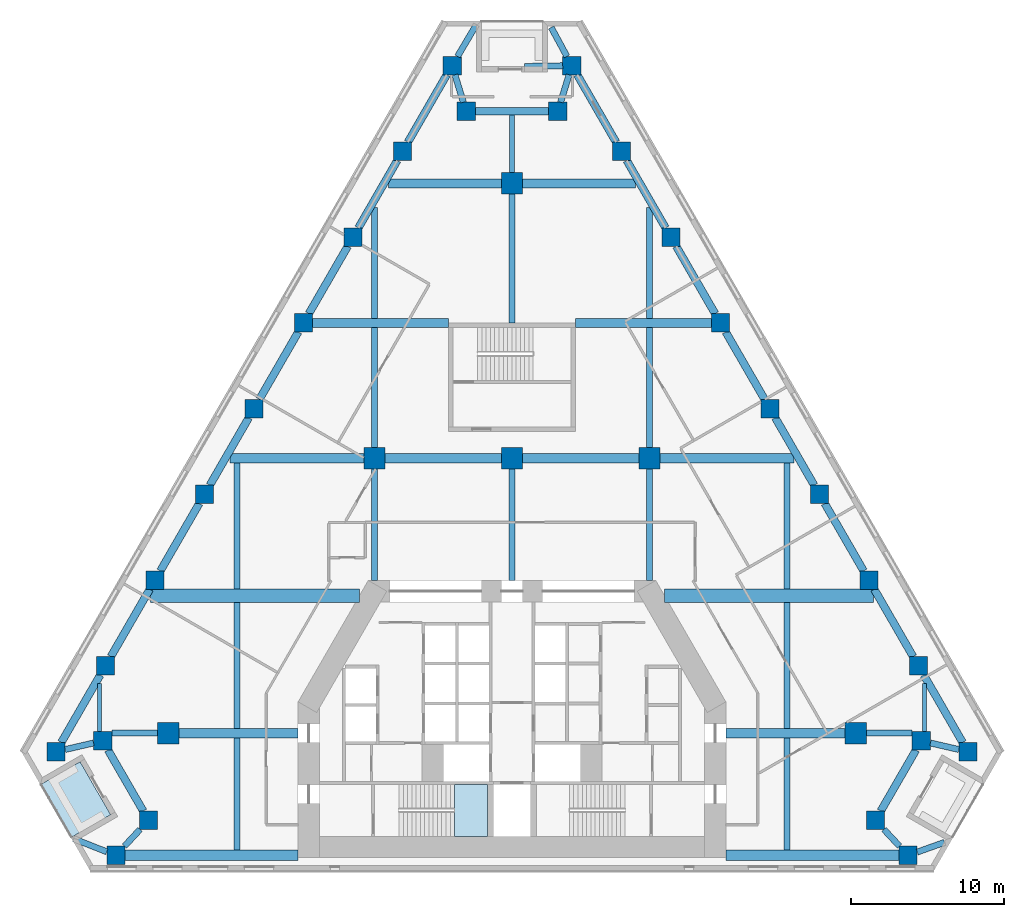
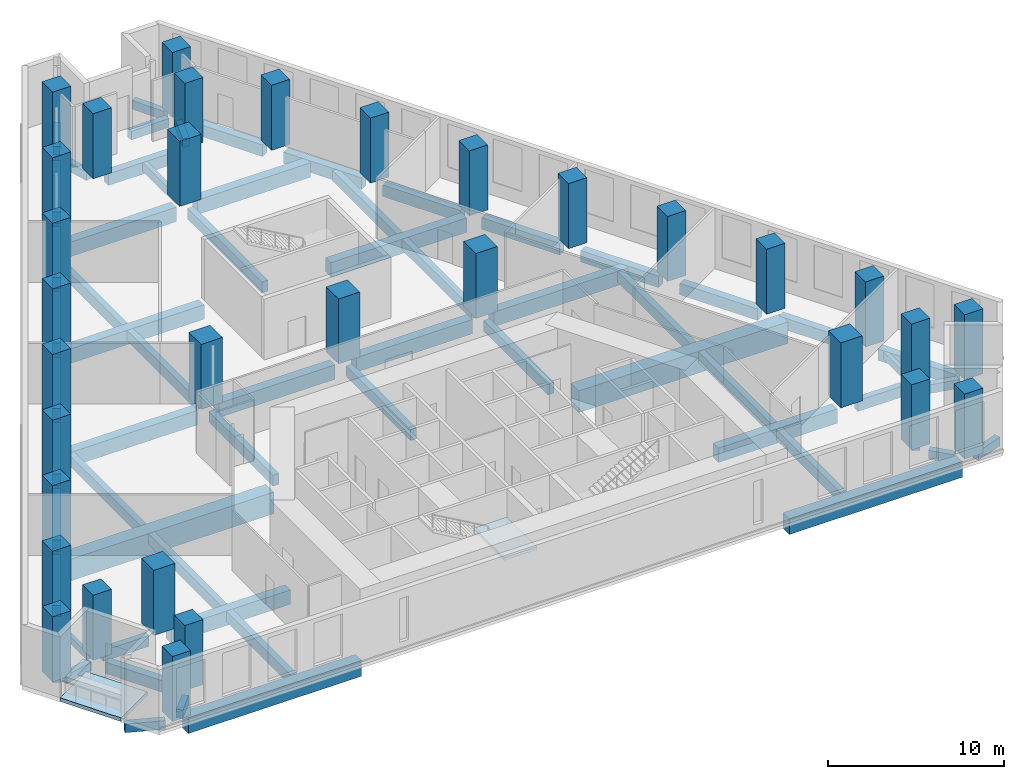
# One storey, part 1 of 10: 63 beams, 32 columns, 2 slabs, 1 element without a shape of its own.
"""IFC4 building model written with IfcOpenShell, lengths in metres."""

from ifc_helpers import new_model, si_unit, direction, frame, origin, origin_2d, place, context, subcontext, project, spatial, polyline, rectangle, outline, extrude, material, layer, layer_set, material_profile, profile_set, type_object, element, aggregate, save


model = new_model("IFC4")

# Units and contexts
model_context = context("Model", 3, precision=1e-05, world=origin(), true_north=direction((0.0, 1.0)))
body_context = subcontext(model_context, "Body", "Model", "MODEL_VIEW")
ifc_project = project(units=[si_unit("LENGTHUNIT", "METRE"), si_unit("AREAUNIT", "SQUARE_METRE"), si_unit("VOLUMEUNIT", "CUBIC_METRE"), si_unit("PLANEANGLEUNIT", "RADIAN"), si_unit("MASSUNIT", "GRAM", prefix="KILO")], contexts=[model_context])

# Site, building, storey
site_placement = place(None, origin())
site = spatial("IfcSite", under=ifc_project, at=site_placement, CompositionType="ELEMENT")
building_placement = place(site_placement, origin())
building = spatial("IfcBuilding", under=site, at=building_placement, Name="Fogline Exchange Tower", CompositionType="ELEMENT")
storey_placement = place(building_placement, frame((0.0, 0.0, 38.5)))
storey = spatial("IfcBuildingStorey", under=building, at=storey_placement, Name="L07", CompositionType="ELEMENT", Elevation=38.5)

# Columns
ifc_material_1 = material(Name="Concrete C80", Category="concrete")
ifc_material_profile_1 = material_profile(ifc_material_1, rectangle(XDim=1.199951171875, YDim=1.199951171875, at=origin_2d()), Name="RC 1200x1200")
ifc_profile_set_1 = profile_set([ifc_material_profile_1], Name="Concrete C80")
column_type_1 = type_object("IfcColumnType", Name="C01", PredefinedType="COLUMN", material=ifc_profile_set_1)
for number, where, z_axis, x_axis, name in (
    (1, (-29.855712890625, 7.794189453125, 0.0), (0.0, 0.0, 1.0), (1.0, 0.0, 0.0), "SW-a"),
    (2, (-26.79638671875, 8.4951171875, 0.0), (0.0, 0.0, 1.0), (1.0, 0.0, 0.0), "SW-p4"),
    (3, (-23.79638671875, 3.299072265625, 0.0), (0.0, 0.0, 1.0), (1.0, 0.0, 0.0), "SW-p3"),
    (4, (-25.93310546875, 1.0, 0.0), (0.0, 0.0, 1.0), (1.0, 0.0, 0.0), "SW-b"),
    (5, (25.93310546875, 1.0, 0.0), (0.0, 0.0, 1.0), (1.0, 0.0, 0.0), "SE-a"),
    (6, (23.79638671875, 3.299072265625, 0.0), (0.0, 0.0, 1.0), (1.0, 0.0, 0.0), "SE-p4"),
    (7, (26.79638671875, 8.4951171875, 0.0), (0.0, 0.0, 1.0), (1.0, 0.0, 0.0), "SE-p3"),
    (8, (29.855712890625, 7.794189453125, 0.0), (0.0, 0.0, 1.0), (1.0, 0.0, 0.0), "SE-b"),
    (9, (26.614013671875, 13.408935546875, 0.0), (0.0, 0.0, 1.0), (1.0, 0.0, 0.0), "E1"),
    (10, (23.37255859375, 19.023681640625, 0.0), (0.0, 0.0, 1.0), (1.0, 0.0, 0.0), "E2"),
    (11, (20.130859375, 24.63818359375, 0.0), (0.0, 0.0, 1.0), (1.0, 0.0, 0.0), "E3"),
    (12, (16.88916015625, 30.2529296875, 0.0), (0.0, 0.0, 1.0), (1.0, 0.0, 0.0), "E4"),
    (13, (13.647705078125, 35.86767578125, 0.0), (0.0, 0.0, 1.0), (1.0, 0.0, 0.0), "E5"),
    (14, (10.406005859375, 41.482421875, 0.0), (0.0, 0.0, 1.0), (1.0, 0.0, 0.0), "E6"),
    (15, (7.164306640625, 47.096923828125, 0.0), (0.0, 0.0, 1.0), (1.0, 0.0, 0.0), "E7"),
    (16, (3.922607421875, 52.711669921875, 0.0), (0.0, 0.0, 1.0), (1.0, 0.0, 0.0), "N-a"),
    (17, (3.0, 49.711669921875, 0.0), (0.0, 0.0, 1.0), (1.0, 0.0, 0.0), "N-p4"),
    (18, (-3.0, 49.711669921875, 0.0), (0.0, 0.0, 1.0), (1.0, 0.0, 0.0), "N-p3"),
    (19, (-3.922607421875, 52.711669921875, 0.0), (0.0, 0.0, 1.0), (1.0, 0.0, 0.0), "N-b"),
    (20, (-7.164306640625, 47.096923828125, 0.0), (0.0, 0.0, 1.0), (1.0, 0.0, 0.0), "W1"),
    (21, (-10.406005859375, 41.482421875, 0.0), (0.0, 0.0, 1.0), (1.0, 0.0, 0.0), "W2"),
    (22, (-13.647705078125, 35.86767578125, 0.0), (0.0, 0.0, 1.0), (1.0, 0.0, 0.0), "W3"),
    (23, (-16.88916015625, 30.2529296875, 0.0), (0.0, 0.0, 1.0), (1.0, 0.0, 0.0), "W4"),
    (24, (-20.130859375, 24.63818359375, 0.0), (0.0, 0.0, 1.0), (1.0, 0.0, 0.0), "W5"),
    (25, (-23.37255859375, 19.023681640625, 0.0), (0.0, 0.0, 1.0), (1.0, 0.0, 0.0), "W6"),
    (26, (-26.614013671875, 13.408935546875, 0.0), (0.0, 0.0, 1.0), (1.0, 0.0, 0.0), "W7"),
):
    element("IfcColumn", number, at=place(storey_placement, frame(where, z_axis=z_axis, x_axis=x_axis)), inside=storey, type_object=column_type_1, Name=name, PredefinedType="COLUMN", context=body_context, shape_type="SweptSolid", body=[
        extrude(rectangle(XDim=1.199951171875, YDim=1.199951171875, at=origin_2d()), origin(), (0.0, 0.0, 1.0), 4.5),
    ])
ifc_material_profile_2 = material_profile(ifc_material_1, rectangle(XDim=1.39990234375, YDim=1.39990234375, at=origin_2d()), Name="RC 1400x1400")
ifc_profile_set_2 = profile_set([ifc_material_profile_2], Name="Concrete C80")
column_type_2 = type_object("IfcColumnType", Name="C02", PredefinedType="COLUMN", material=ifc_profile_set_2)
for number, where, z_axis, x_axis, name in (
    (27, (-9.0, 27.0, 0.0), (0.0, 0.0, 1.0), (1.0, 0.0, 0.0), "IC--9-27"),
    (28, (0.0, 27.0, 0.0), (0.0, 0.0, 1.0), (1.0, 0.0, 0.0), "IC-0-27"),
    (29, (9.0, 27.0, 0.0), (0.0, 0.0, 1.0), (1.0, 0.0, 0.0), "IC-9-27"),
    (30, (0.0, 45.0, 0.0), (0.0, 0.0, 1.0), (1.0, 0.0, 0.0), "IC-0-45"),
    (31, (-22.5, 9.0, 0.0), (0.0, 0.0, 1.0), (1.0, 0.0, 0.0), "IC--225-9"),
    (32, (22.5, 9.0, 0.0), (0.0, 0.0, 1.0), (1.0, 0.0, 0.0), "IC-225-9"),
):
    element("IfcColumn", number, at=place(storey_placement, frame(where, z_axis=z_axis, x_axis=x_axis)), inside=storey, type_object=column_type_2, Name=name, PredefinedType="COLUMN", context=body_context, shape_type="SweptSolid", body=[
        extrude(rectangle(XDim=1.39990234375, YDim=1.39990234375, at=origin_2d()), origin(), (0.0, 0.0, 1.0), 4.5),
    ])

# Beams
ifc_material_2 = material(Name="Concrete C40", Category="concrete")
ifc_material_profile_3 = material_profile(ifc_material_2, rectangle(XDim=0.89990234375, YDim=1.5, at=origin_2d()), Name="RC 900x1500")
ifc_profile_set_3 = profile_set([ifc_material_profile_3], Name="Concrete C40")
beam_type_1 = type_object("IfcBeamType", Name="B01", PredefinedType="BEAM", material=ifc_profile_set_3)
for number, where, z_axis, x_axis, name in (
    (33, (-23.6748046875, 18.0, -1.050048828125), (1.0, 0.0, 0.0), (0.0, 1.0, 0.0), "GB005"),
    (34, (9.989013671875, 18.0, -1.050048828125), (1.0, 0.0, 0.0), (0.0, 1.0, 0.0), "GB006"),
):
    element("IfcBeam", number, at=place(storey_placement, frame(where, z_axis=z_axis, x_axis=x_axis)), inside=storey, type_object=beam_type_1, Name=name, PredefinedType="BEAM", context=body_context, shape_type="SweptSolid", body=[
        extrude(rectangle(XDim=0.89990234375, YDim=1.5, at=origin_2d()), origin(), (0.0, 0.0, 1.0), 13.685791015625),
    ])
ifc_material_profile_4 = material_profile(ifc_material_2, rectangle(XDim=0.60009765625, YDim=1.0, at=origin_2d()), Name="RC 600x1000")
ifc_profile_set_4 = profile_set([ifc_material_profile_4], Name="Concrete C40")
beam_type_2 = type_object("IfcBeamType", Name="B03", PredefinedType="BEAM", material=ifc_profile_set_4)
for number, where, z_axis, x_axis, name in (
    (35, (-21.800048828125, 9.0, -0.800048828125), (1.0, 0.0, 0.0), (0.0, 1.0, 0.0), "GB002"),
    (36, (14.0, 9.0, -0.800048828125), (1.0, 0.0, 0.0), (0.0, 1.0, 0.0), "GB003"),
):
    element("IfcBeam", number, at=place(storey_placement, frame(where, z_axis=z_axis, x_axis=x_axis)), inside=storey, type_object=beam_type_2, Name=name, PredefinedType="BEAM", context=body_context, shape_type="SweptSolid", body=[
        extrude(rectangle(XDim=0.60009765625, YDim=1.0, at=origin_2d()), origin(), (0.0, 0.0, 1.0), 7.800048828125),
    ])
beam_1_placement = place(storey_placement, frame((-18.478515625, 27.0, -0.800048828125), z_axis=(1.0, 0.0, 0.0), x_axis=(0.0, 1.0, 0.0)))
element("IfcBeam", 37, at=beam_1_placement, inside=storey, type_object=beam_type_2, Name="GB007", PredefinedType="BEAM", context=body_context, shape_type="SweptSolid", body=[
    extrude(rectangle(XDim=0.60009765625, YDim=1.0, at=origin_2d()), origin(), (0.0, 0.0, 1.0), 8.778564453125),
])
for number, where, z_axis, x_axis, name in (
    (38, (-8.300048828125, 27.0, -0.800048828125), (1.0, 0.0, 0.0), (0.0, 1.0, 0.0), "GB008"),
    (39, (0.699951171875, 27.0, -0.800048828125), (1.0, 0.0, 0.0), (0.0, 1.0, 0.0), "GB009"),
):
    element("IfcBeam", number, at=place(storey_placement, frame(where, z_axis=z_axis, x_axis=x_axis)), inside=storey, type_object=beam_type_2, Name=name, PredefinedType="BEAM", context=body_context, shape_type="SweptSolid", body=[
        extrude(rectangle(XDim=0.60009765625, YDim=1.0, at=origin_2d()), origin(), (0.0, 0.0, 1.0), 7.60009765625),
    ])
beam_2_placement = place(storey_placement, frame((9.699951171875, 27.0, -0.800048828125), z_axis=(1.0, 0.0, 0.0), x_axis=(0.0, 1.0, 0.0)))
element("IfcBeam", 40, at=beam_2_placement, inside=storey, type_object=beam_type_2, Name="GB010", PredefinedType="BEAM", context=body_context, shape_type="SweptSolid", body=[
    extrude(rectangle(XDim=0.60009765625, YDim=1.0, at=origin_2d()), origin(), (0.0, 0.0, 1.0), 8.778564453125),
])
for number, where, z_axis, x_axis, name in (
    (41, (-13.047607421875, 35.85693359375, -0.800048828125), (1.0, 0.0, 0.0), (0.0, 1.0, 0.0), "GB011"),
    (42, (4.14990234375, 35.85693359375, -0.800048828125), (1.0, 0.0, 0.0), (0.0, 1.0, 0.0), "GB012"),
):
    element("IfcBeam", number, at=place(storey_placement, frame(where, z_axis=z_axis, x_axis=x_axis)), inside=storey, type_object=beam_type_2, Name=name, PredefinedType="BEAM", context=body_context, shape_type="SweptSolid", body=[
        extrude(rectangle(XDim=0.60009765625, YDim=1.0, at=origin_2d()), origin(), (0.0, 0.0, 1.0), 8.897705078125),
    ])
for number, where, z_axis, x_axis, name in (
    (43, (-8.086181640625, 45.0, -0.800048828125), (1.0, 0.0, 0.0), (0.0, 1.0, 0.0), "GB013"),
    (44, (0.699951171875, 45.0, -0.800048828125), (1.0, 0.0, 0.0), (0.0, 1.0, 0.0), "GB014"),
):
    element("IfcBeam", number, at=place(storey_placement, frame(where, z_axis=z_axis, x_axis=x_axis)), inside=storey, type_object=beam_type_2, Name=name, PredefinedType="BEAM", context=body_context, shape_type="SweptSolid", body=[
        extrude(rectangle(XDim=0.60009765625, YDim=1.0, at=origin_2d()), origin(), (0.0, 0.0, 1.0), 7.38623046875),
    ])
ifc_material_profile_5 = material_profile(ifc_material_2, rectangle(XDim=0.39990234375, YDim=0.75, at=origin_2d()), Name="RC 400x750")
ifc_profile_set_5 = profile_set([ifc_material_profile_5], Name="Concrete C40")
beam_type_3 = type_object("IfcBeamType", Name="B05", PredefinedType="BEAM", material=ifc_profile_set_5)
for number, where, z_axis, x_axis, name in (
    (45, (-26.1962890625, 9.0, -0.675048828125), (1.0, 0.0, 0.0), (0.0, 1.0, 0.0), "GB001"),
    (46, (23.199951171875, 9.0, -0.675048828125), (1.0, 0.0, 0.0), (0.0, 1.0, 0.0), "GB004"),
):
    element("IfcBeam", number, at=place(storey_placement, frame(where, z_axis=z_axis, x_axis=x_axis)), inside=storey, type_object=beam_type_3, Name=name, PredefinedType="BEAM", context=body_context, shape_type="SweptSolid", body=[
        extrude(rectangle(XDim=0.39990234375, YDim=0.75, at=origin_2d()), origin(), (0.0, 0.0, 1.0), 2.996337890625),
    ])
beam_3_placement = place(storey_placement, frame((-18.0, 1.35009765625, -0.675048828125), z_axis=(0.0, 1.0, 0.0), x_axis=(-1.0, 0.0, 0.0)))
element("IfcBeam", 47, at=beam_3_placement, inside=storey, type_object=beam_type_3, Name="SB002", PredefinedType="BEAM", context=body_context, shape_type="SweptSolid", body=[
    extrude(rectangle(XDim=0.39990234375, YDim=0.75, at=origin_2d()), origin(), (0.0, 0.0, 1.0), 7.349853515625),
])
for number, where, z_axis, x_axis, name in (
    (48, (-18.0, 9.300048828125, -0.675048828125), (0.0, 1.0, 0.0), (-1.0, 0.0, 0.0), "SB003"),
    (49, (-18.0, 18.449951171875, -0.675048828125), (0.0, 1.0, 0.0), (-1.0, 0.0, 0.0), "SB004"),
):
    element("IfcBeam", number, at=place(storey_placement, frame(where, z_axis=z_axis, x_axis=x_axis)), inside=storey, type_object=beam_type_3, Name=name, PredefinedType="BEAM", context=body_context, shape_type="SweptSolid", body=[
        extrude(rectangle(XDim=0.39990234375, YDim=0.75, at=origin_2d()), origin(), (0.0, 0.0, 1.0), 8.25),
    ])
beam_4_placement = place(storey_placement, frame((-9.0, 19.0, -0.675048828125), z_axis=(0.0, 1.0, 0.0), x_axis=(-1.0, 0.0, 0.0)))
element("IfcBeam", 50, at=beam_4_placement, inside=storey, type_object=beam_type_3, Name="SB005", PredefinedType="BEAM", context=body_context, shape_type="SweptSolid", body=[
    extrude(rectangle(XDim=0.39990234375, YDim=0.75, at=origin_2d()), origin(), (0.0, 0.0, 1.0), 7.300048828125),
])
beam_5_placement = place(storey_placement, frame((-9.0, 27.699951171875, -0.675048828125), z_axis=(0.0, 1.0, 0.0), x_axis=(-1.0, 0.0, 0.0)))
element("IfcBeam", 51, at=beam_5_placement, inside=storey, type_object=beam_type_3, Name="SB006", PredefinedType="BEAM", context=body_context, shape_type="SweptSolid", body=[
    extrude(rectangle(XDim=0.39990234375, YDim=0.75, at=origin_2d()), origin(), (0.0, 0.0, 1.0), 7.85693359375),
])
beam_6_placement = place(storey_placement, frame((-9.0, 36.156982421875, -0.675048828125), z_axis=(0.0, 1.0, 0.0), x_axis=(-1.0, 0.0, 0.0)))
element("IfcBeam", 52, at=beam_6_placement, inside=storey, type_object=beam_type_3, Name="SB007", PredefinedType="BEAM", context=body_context, shape_type="SweptSolid", body=[
    extrude(rectangle(XDim=0.39990234375, YDim=0.75, at=origin_2d()), origin(), (0.0, 0.0, 1.0), 7.260498046875),
])
beam_7_placement = place(storey_placement, frame((0.0, 19.0, -0.675048828125), z_axis=(0.0, 1.0, 0.0), x_axis=(-1.0, 0.0, 0.0)))
element("IfcBeam", 53, at=beam_7_placement, inside=storey, type_object=beam_type_3, Name="SB008", PredefinedType="BEAM", context=body_context, shape_type="SweptSolid", body=[
    extrude(rectangle(XDim=0.39990234375, YDim=0.75, at=origin_2d()), origin(), (0.0, 0.0, 1.0), 7.300048828125),
])
beam_8_placement = place(storey_placement, frame((0.0, 35.85693359375, -0.675048828125), z_axis=(0.0, 1.0, 0.0), x_axis=(-1.0, 0.0, 0.0)))
element("IfcBeam", 54, at=beam_8_placement, inside=storey, type_object=beam_type_3, Name="SB009", PredefinedType="BEAM", context=body_context, shape_type="SweptSolid", body=[
    extrude(rectangle(XDim=0.39990234375, YDim=0.75, at=origin_2d()), origin(), (0.0, 0.0, 1.0), 8.443115234375),
])
beam_9_placement = place(storey_placement, frame((9.0, 19.0, -0.675048828125), z_axis=(0.0, 1.0, 0.0), x_axis=(-1.0, 0.0, 0.0)))
element("IfcBeam", 55, at=beam_9_placement, inside=storey, type_object=beam_type_3, Name="SB011", PredefinedType="BEAM", context=body_context, shape_type="SweptSolid", body=[
    extrude(rectangle(XDim=0.39990234375, YDim=0.75, at=origin_2d()), origin(), (0.0, 0.0, 1.0), 7.300048828125),
])
beam_10_placement = place(storey_placement, frame((9.0, 27.699951171875, -0.675048828125), z_axis=(0.0, 1.0, 0.0), x_axis=(-1.0, 0.0, 0.0)))
element("IfcBeam", 56, at=beam_10_placement, inside=storey, type_object=beam_type_3, Name="SB012", PredefinedType="BEAM", context=body_context, shape_type="SweptSolid", body=[
    extrude(rectangle(XDim=0.39990234375, YDim=0.75, at=origin_2d()), origin(), (0.0, 0.0, 1.0), 7.85693359375),
])
beam_11_placement = place(storey_placement, frame((9.0, 36.156982421875, -0.675048828125), z_axis=(0.0, 1.0, 0.0), x_axis=(-1.0, 0.0, 0.0)))
element("IfcBeam", 57, at=beam_11_placement, inside=storey, type_object=beam_type_3, Name="SB013", PredefinedType="BEAM", context=body_context, shape_type="SweptSolid", body=[
    extrude(rectangle(XDim=0.39990234375, YDim=0.75, at=origin_2d()), origin(), (0.0, 0.0, 1.0), 7.260498046875),
])
beam_12_placement = place(storey_placement, frame((18.0, 1.35009765625, -0.675048828125), z_axis=(0.0, 1.0, 0.0), x_axis=(-1.0, 0.0, 0.0)))
element("IfcBeam", 58, at=beam_12_placement, inside=storey, type_object=beam_type_3, Name="SB014", PredefinedType="BEAM", context=body_context, shape_type="SweptSolid", body=[
    extrude(rectangle(XDim=0.39990234375, YDim=0.75, at=origin_2d()), origin(), (0.0, 0.0, 1.0), 7.349853515625),
])
for number, where, z_axis, x_axis, name in (
    (59, (18.0, 9.300048828125, -0.675048828125), (0.0, 1.0, 0.0), (-1.0, 0.0, 0.0), "SB015"),
    (60, (18.0, 18.449951171875, -0.675048828125), (0.0, 1.0, 0.0), (-1.0, 0.0, 0.0), "SB016"),
):
    element("IfcBeam", number, at=place(storey_placement, frame(where, z_axis=z_axis, x_axis=x_axis)), inside=storey, type_object=beam_type_3, Name=name, PredefinedType="BEAM", context=body_context, shape_type="SweptSolid", body=[
        extrude(rectangle(XDim=0.39990234375, YDim=0.75, at=origin_2d()), origin(), (0.0, 0.0, 1.0), 8.25),
    ])
ifc_material_profile_6 = material_profile(ifc_material_2, rectangle(XDim=0.300048828125, YDim=0.60009765625, at=origin_2d()), Name="RC 300x600")
ifc_profile_set_6 = profile_set([ifc_material_profile_6], Name="Concrete C40")
beam_type_4 = type_object("IfcBeamType", Name="B06", PredefinedType="BEAM", material=ifc_profile_set_6)
beam_13_placement = place(storey_placement, frame((0.0, 45.699951171875, -0.60009765625), z_axis=(0.0, 1.0, 0.0), x_axis=(-1.0, 0.0, 0.0)))
element("IfcBeam", 61, at=beam_13_placement, inside=storey, type_object=beam_type_4, Name="SB010", PredefinedType="BEAM", context=body_context, shape_type="SweptSolid", body=[
    extrude(rectangle(XDim=0.300048828125, YDim=0.60009765625, at=origin_2d()), origin(), (0.0, 0.0, 1.0), 3.76171875),
])
ifc_material_profile_7 = material_profile(ifc_material_2, rectangle(XDim=0.25, YDim=0.5, at=origin_2d()), Name="RC 250x500")
ifc_profile_set_7 = profile_set([ifc_material_profile_7], Name="Concrete C40")
beam_type_5 = type_object("IfcBeamType", Name="B08", PredefinedType="BEAM", material=ifc_profile_set_7)
for number, where, z_axis, x_axis, name in (
    (62, (-27.0, 9.09521484375, -0.550048828125), (0.0, 1.0, 0.0), (-1.0, 0.0, 0.0), "SB001"),
    (63, (27.0, 9.09521484375, -0.550048828125), (0.0, 1.0, 0.0), (-1.0, 0.0, 0.0), "SB017"),
):
    element("IfcBeam", number, at=place(storey_placement, frame(where, z_axis=z_axis, x_axis=x_axis)), inside=storey, type_object=beam_type_5, Name=name, PredefinedType="BEAM", context=body_context, shape_type="SweptSolid", body=[
        extrude(rectangle(XDim=0.25, YDim=0.5, at=origin_2d()), origin(), (0.0, 0.0, 1.0), 3.145263671875),
    ])
ifc_material_profile_8 = material_profile(ifc_material_2, rectangle(XDim=0.5, YDim=0.800048828125, at=origin_2d()), Name="RC 500x800")
ifc_profile_set_8 = profile_set([ifc_material_profile_8], Name="Concrete C40")
beam_type_6 = type_object("IfcBeamType", Name="B10", PredefinedType="BEAM", material=ifc_profile_set_8)
for number, where, z_axis, x_axis, name in (
    (64, (-26.449951171875, 7.895263671875, -0.699951171875), (0.500014024385, -0.866017306651, 0.0), (0.866017306651, 0.500014024385, 0.0), "RB002"),
    (65, (24.142578125, 3.89892578125, -0.699951171875), (0.500014024385, 0.866017306651, 0.0), (-0.866017306651, 0.500014024385, 0.0), "RB007"),
):
    element("IfcBeam", number, at=place(storey_placement, frame(where, z_axis=z_axis, x_axis=x_axis)), inside=storey, type_object=beam_type_6, Name=name, PredefinedType="BEAM", context=body_context, shape_type="SweptSolid", body=[
        extrude(rectangle(XDim=0.5, YDim=0.800048828125, at=origin_2d()), origin(), (0.0, 0.0, 1.0), 4.614501953125),
    ])
beam_14_placement = place(storey_placement, frame((29.50927734375, 8.394287109375, -0.699951171875), z_axis=(-0.500012659481, 0.866018094706, 0.0), x_axis=(-0.866018094706, -0.500012659481, 0.0)))
element("IfcBeam", 66, at=beam_14_placement, inside=storey, type_object=beam_type_6, Name="RB009", PredefinedType="BEAM", context=body_context, shape_type="SweptSolid", body=[
    extrude(rectangle(XDim=0.5, YDim=0.800048828125, at=origin_2d()), origin(), (0.0, 0.0, 1.0), 5.097412109375),
])
for number, where, z_axis, x_axis, name in (
    (67, (26.267578125, 14.0087890625, -0.699951171875), (-0.499956000529, 0.8660508054, 0.0), (-0.8660508054, -0.499956000529, 0.0), "RB010"),
    (68, (23.026123046875, 19.62353515625, -0.699951171875), (-0.499991921166, 0.866030068051, 0.0), (-0.866030068051, -0.499991921166, 0.0), "RB011"),
):
    element("IfcBeam", number, at=place(storey_placement, frame(where, z_axis=z_axis, x_axis=x_axis)), inside=storey, type_object=beam_type_6, Name=name, PredefinedType="BEAM", context=body_context, shape_type="SweptSolid", body=[
        extrude(rectangle(XDim=0.5, YDim=0.800048828125, at=origin_2d()), origin(), (0.0, 0.0, 1.0), 5.09765625),
    ])
beam_15_placement = place(storey_placement, frame((19.784423828125, 25.23828125, -0.699951171875), z_axis=(-0.500012659481, 0.866018094706, 0.0), x_axis=(-0.866018094706, -0.500012659481, 0.0)))
element("IfcBeam", 69, at=beam_15_placement, inside=storey, type_object=beam_type_6, Name="RB012", PredefinedType="BEAM", context=body_context, shape_type="SweptSolid", body=[
    extrude(rectangle(XDim=0.5, YDim=0.800048828125, at=origin_2d()), origin(), (0.0, 0.0, 1.0), 5.097412109375),
])
for number, where, z_axis, x_axis, name in (
    (70, (16.542724609375, 30.852783203125, -0.699951171875), (-0.499991921166, 0.866030068051, 0.0), (-0.866030068051, -0.499991921166, 0.0), "RB013"),
    (71, (13.301025390625, 36.467529296875, -0.699951171875), (-0.499991921166, 0.866030068051, 0.0), (-0.866030068051, -0.499991921166, 0.0), "RB014"),
    (72, (10.0595703125, 42.082275390625, -0.699951171875), (-0.499991921166, 0.866030068051, 0.0), (-0.866030068051, -0.499991921166, 0.0), "RB015"),
    (73, (6.81787109375, 47.697021484375, -0.699951171875), (-0.499991921166, 0.866030068051, 0.0), (-0.866030068051, -0.499991921166, 0.0), "RB016"),
):
    element("IfcBeam", number, at=place(storey_placement, frame(where, z_axis=z_axis, x_axis=x_axis)), inside=storey, type_object=beam_type_6, Name=name, PredefinedType="BEAM", context=body_context, shape_type="SweptSolid", body=[
        extrude(rectangle(XDim=0.5, YDim=0.800048828125, at=origin_2d()), origin(), (0.0, 0.0, 1.0), 5.09765625),
    ])
beam_16_placement = place(storey_placement, frame((2.39990234375, 49.711669921875, -0.699951171875), z_axis=(-1.0, 0.0, 0.0), x_axis=(0.0, -1.0, 0.0)))
element("IfcBeam", 74, at=beam_16_placement, inside=storey, type_object=beam_type_6, Name="RB018", PredefinedType="BEAM", context=body_context, shape_type="SweptSolid", body=[
    extrude(rectangle(XDim=0.5, YDim=0.800048828125, at=origin_2d()), origin(), (0.0, 0.0, 1.0), 4.7998046875),
])
for number, where, z_axis, x_axis, name in (
    (75, (-4.26904296875, 52.11181640625, -0.699951171875), (-0.499991921166, -0.866030068051, 0.0), (0.866030068051, -0.499991921166, 0.0), "RB020"),
    (76, (-7.5107421875, 46.4970703125, -0.699951171875), (-0.499991921166, -0.866030068051, 0.0), (0.866030068051, -0.499991921166, 0.0), "RB021"),
    (77, (-10.752197265625, 40.88232421875, -0.699951171875), (-0.499991921166, -0.866030068051, 0.0), (0.866030068051, -0.499991921166, 0.0), "RB022"),
    (78, (-13.993896484375, 35.267578125, -0.699951171875), (-0.499991921166, -0.866030068051, 0.0), (0.866030068051, -0.499991921166, 0.0), "RB023"),
):
    element("IfcBeam", number, at=place(storey_placement, frame(where, z_axis=z_axis, x_axis=x_axis)), inside=storey, type_object=beam_type_6, Name=name, PredefinedType="BEAM", context=body_context, shape_type="SweptSolid", body=[
        extrude(rectangle(XDim=0.5, YDim=0.800048828125, at=origin_2d()), origin(), (0.0, 0.0, 1.0), 5.09765625),
    ])
beam_17_placement = place(storey_placement, frame((-17.235595703125, 29.65283203125, -0.699951171875), z_axis=(-0.500012659481, -0.866018094706, 0.0), x_axis=(0.866018094706, -0.500012659481, 0.0)))
element("IfcBeam", 79, at=beam_17_placement, inside=storey, type_object=beam_type_6, Name="RB024", PredefinedType="BEAM", context=body_context, shape_type="SweptSolid", body=[
    extrude(rectangle(XDim=0.5, YDim=0.800048828125, at=origin_2d()), origin(), (0.0, 0.0, 1.0), 5.097412109375),
])
for number, where, z_axis, x_axis, name in (
    (80, (-20.477294921875, 24.038330078125, -0.699951171875), (-0.499991921166, -0.866030068051, 0.0), (0.866030068051, -0.499991921166, 0.0), "RB025"),
    (81, (-23.718994140625, 18.423583984375, -0.699951171875), (-0.499956000529, -0.8660508054, 0.0), (0.8660508054, -0.499956000529, 0.0), "RB026"),
):
    element("IfcBeam", number, at=place(storey_placement, frame(where, z_axis=z_axis, x_axis=x_axis)), inside=storey, type_object=beam_type_6, Name=name, PredefinedType="BEAM", context=body_context, shape_type="SweptSolid", body=[
        extrude(rectangle(XDim=0.5, YDim=0.800048828125, at=origin_2d()), origin(), (0.0, 0.0, 1.0), 5.09765625),
    ])
beam_18_placement = place(storey_placement, frame((-26.96044921875, 12.808837890625, -0.699951171875), z_axis=(-0.500012659481, -0.866018094706, 0.0), x_axis=(0.866018094706, -0.500012659481, 0.0)))
element("IfcBeam", 82, at=beam_18_placement, inside=storey, type_object=beam_type_6, Name="RB027", PredefinedType="BEAM", context=body_context, shape_type="SweptSolid", body=[
    extrude(rectangle(XDim=0.5, YDim=0.800048828125, at=origin_2d()), origin(), (0.0, 0.0, 1.0), 5.097412109375),
])
ifc_material_profile_9 = material_profile(ifc_material_2, rectangle(XDim=0.39990234375, YDim=0.60009765625, at=origin_2d()), Name="RC 400x600")
ifc_profile_set_9 = profile_set([ifc_material_profile_9], Name="Concrete C40")
beam_type_7 = type_object("IfcBeamType", Name="B11", PredefinedType="BEAM", material=ifc_profile_set_9)
beam_19_placement = place(storey_placement, frame((-29.255615234375, 7.931640625, -0.60009765625), z_axis=(0.974741606569, 0.223335622829, 0.0), x_axis=(-0.223335622829, 0.974741606569, 0.0)))
element("IfcBeam", 83, at=beam_19_placement, inside=storey, type_object=beam_type_7, Name="RB001", PredefinedType="BEAM", context=body_context, shape_type="SweptSolid", body=[
    extrude(rectangle(XDim=0.39990234375, YDim=0.60009765625, at=origin_2d()), origin(), (0.0, 0.0, 1.0), 1.907470703125),
])
for number, where, z_axis, x_axis, name in (
    (84, (-24.35400390625, 2.698974609375, -0.60009765625), (-0.680844217962, -0.732428256464, 0.0), (0.732428256464, -0.680844217962, 0.0), "RB003"),
    (85, (25.37548828125, 1.60009765625, -0.60009765625), (-0.680844217962, 0.732428256464, 0.0), (-0.732428256464, -0.680844217962, 0.0), "RB006"),
):
    element("IfcBeam", number, at=place(storey_placement, frame(where, z_axis=z_axis, x_axis=x_axis)), inside=storey, type_object=beam_type_7, Name=name, PredefinedType="BEAM", context=body_context, shape_type="SweptSolid", body=[
        extrude(rectangle(XDim=0.39990234375, YDim=0.60009765625, at=origin_2d()), origin(), (0.0, 0.0, 1.0), 1.500244140625),
    ])
beam_20_placement = place(storey_placement, frame((27.396240234375, 8.357666015625, -0.60009765625), z_axis=(0.974741606569, -0.223335622829, 0.0), x_axis=(0.223335622829, 0.974741606569, 0.0)))
element("IfcBeam", 86, at=beam_20_placement, inside=storey, type_object=beam_type_7, Name="RB008", PredefinedType="BEAM", context=body_context, shape_type="SweptSolid", body=[
    extrude(rectangle(XDim=0.39990234375, YDim=0.60009765625, at=origin_2d()), origin(), (0.0, 0.0, 1.0), 1.907470703125),
])
for number, where, z_axis, x_axis, name in (
    (87, (3.738037109375, 52.11181640625, -0.60009765625), (-0.293894535925, -0.955837853275, 0.0), (0.955837853275, -0.293894535925, 0.0), "RB017"),
    (88, (-3.1845703125, 50.311767578125, -0.60009765625), (-0.293894535925, 0.955837853275, 0.0), (-0.955837853275, -0.293894535925, 0.0), "RB019"),
):
    element("IfcBeam", number, at=place(storey_placement, frame(where, z_axis=z_axis, x_axis=x_axis)), inside=storey, type_object=beam_type_7, Name=name, PredefinedType="BEAM", context=body_context, shape_type="SweptSolid", body=[
        extrude(rectangle(XDim=0.39990234375, YDim=0.60009765625, at=origin_2d()), origin(), (0.0, 0.0, 1.0), 1.88330078125),
    ])
beam_21_placement = place(storey_placement, frame((-3.56689453125, 53.311767578125, -0.60009765625), z_axis=(0.509966509953, 0.86019425639, 0.0), x_axis=(-0.86019425639, 0.509966509953, 0.0)))
element("IfcBeam", 89, at=beam_21_placement, inside=storey, type_object=beam_type_7, Name="SP028", PredefinedType="BEAM", context=body_context, shape_type="SweptSolid", body=[
    extrude(rectangle(XDim=0.39990234375, YDim=0.60009765625, at=origin_2d()), origin(), (0.0, 0.0, 1.0), 2.40576171875),
])
beam_22_placement = place(storey_placement, frame((3.59716796875, 53.311767578125, -0.60009765625), z_axis=(-0.476811976158, 0.879005312494, 0.0), x_axis=(-0.879005312494, -0.476811976158, 0.0)))
element("IfcBeam", 90, at=beam_22_placement, inside=storey, type_object=beam_type_7, Name="SP029", PredefinedType="BEAM", context=body_context, shape_type="SweptSolid", body=[
    extrude(rectangle(XDim=0.39990234375, YDim=0.60009765625, at=origin_2d()), origin(), (0.0, 0.0, 1.0), 2.15625),
])
beam_23_placement = place(storey_placement, frame((-26.533203125, 1.235107421875, -0.60009765625), z_axis=(-0.930973895847, 0.365085750546, 0.0), x_axis=(-0.365085750546, -0.930973895847, 0.0)))
element("IfcBeam", 91, at=beam_23_placement, inside=storey, type_object=beam_type_7, Name="SP030", PredefinedType="BEAM", context=body_context, shape_type="SweptSolid", body=[
    extrude(rectangle(XDim=0.39990234375, YDim=0.60009765625, at=origin_2d()), origin(), (0.0, 0.0, 1.0), 2.333251953125),
])
beam_24_placement = place(storey_placement, frame((26.533203125, 1.214599609375, -0.60009765625), z_axis=(0.94166350691, 0.336555849383, 0.0), x_axis=(-0.336555849383, 0.94166350691, 0.0)))
element("IfcBeam", 92, at=beam_24_placement, inside=storey, type_object=beam_type_7, Name="SP031", PredefinedType="BEAM", context=body_context, shape_type="SweptSolid", body=[
    extrude(rectangle(XDim=0.39990234375, YDim=0.60009765625, at=origin_2d()), origin(), (0.0, 0.0, 1.0), 1.90283203125),
])
beam_25_placement = place(storey_placement, frame((3.322509765625, 52.70068359375, -0.60009765625), z_axis=(-0.999838380259, -0.017978135636, 0.0), x_axis=(0.017978135636, -0.999838380259, 0.0)))
element("IfcBeam", 93, at=beam_25_placement, inside=storey, type_object=beam_type_7, Name="SP032", PredefinedType="BEAM", context=body_context, shape_type="SweptSolid", body=[
    extrude(rectangle(XDim=0.39990234375, YDim=0.60009765625, at=origin_2d()), origin(), (0.0, 0.0, 1.0), 2.498779296875),
])
ifc_material_profile_10 = material_profile(ifc_material_2, rectangle(XDim=0.699951171875, YDim=1.10009765625, at=origin_2d()), Name="RC 700x1100")
ifc_profile_set_10 = profile_set([ifc_material_profile_10], Name="Concrete C40")
beam_type_8 = type_object("IfcBeamType", Name="B12", PredefinedType="BEAM", material=ifc_profile_set_10)
for number, where, z_axis, x_axis, name in (
    (94, (-25.3330078125, 1.0, -0.85009765625), (1.0, 0.0, 0.0), (0.0, 1.0, 0.0), "RB004"),
    (95, (14.0, 1.0, -0.85009765625), (1.0, 0.0, 0.0), (0.0, 1.0, 0.0), "RB005"),
):
    element("IfcBeam", number, at=place(storey_placement, frame(where, z_axis=z_axis, x_axis=x_axis)), inside=storey, type_object=beam_type_8, Name=name, PredefinedType="BEAM", context=body_context, shape_type="SweptSolid", body=[
        extrude(rectangle(XDim=0.699951171875, YDim=1.10009765625, at=origin_2d()), origin(), (0.0, 0.0, 1.0), 11.3330078125),
    ])

# Slab
ifc_layer_1 = layer(ifc_material_2, 0.25)
ifc_layer_set_1 = layer_set([ifc_layer_1], Name="DK1")
slab_type_1 = type_object("IfcSlabType", Name="DK1", PredefinedType="FLOOR", material=ifc_layer_set_1)
slab_1_placement = place(storey_placement, frame((0.0, 0.0, -0.25)))
element("IfcSlab", 96, at=slab_1_placement, inside=storey, type_object=slab_type_1, Name="Balcony L07 SW", PredefinedType="FLOOR", context=body_context, shape_type="SweptSolid", body=[
    extrude(outline(polyline([(-30.877685546875, 5.629150390625), (-28.877685546875, 2.1650390625), (-26.279541015625, 3.6650390625), (-28.279541015625, 7.129150390625), (-30.877685546875, 5.629150390625)])), origin(), (0.0, 0.0, 1.0), 0.25),
])

# Stair, slab
stair_type = type_object("IfcStairType", Name="STR28-1607", PredefinedType="HALF_TURN_STAIR", material=ifc_material_2)
stair_placement = place(storey_placement, origin())
stair = element("IfcStair", 97, at=stair_placement, inside=storey, type_object=stair_type, Name="Stair ST1", PredefinedType="HALF_TURN_STAIR")
ifc_layer_2 = layer(ifc_material_2, 0.199951171875)
ifc_layer_set_2 = layer_set([ifc_layer_2], Name="SL200")
slab_type_2 = type_object("IfcSlabType", Name="SL200", PredefinedType="LANDING", material=ifc_layer_set_2)
slab_2_placement = place(storey_placement, frame((0.0, 0.0, 2.050048828125)))
slab_2 = element("IfcSlab", 98, at=slab_2_placement, type_object=slab_type_2, Name="ST1 landing 1", PredefinedType="LANDING", context=body_context, shape_type="SweptSolid", body=[
    extrude(outline(polyline([(-3.760009765625, 2.25), (-1.60009765625, 2.25), (-1.60009765625, 5.64990234375), (-3.760009765625, 5.64990234375), (-3.760009765625, 2.25)])), origin(), (0.0, 0.0, 1.0), 0.199951171875),
])
aggregate(stair, [slab_2])

save(model, "model.ifc")
